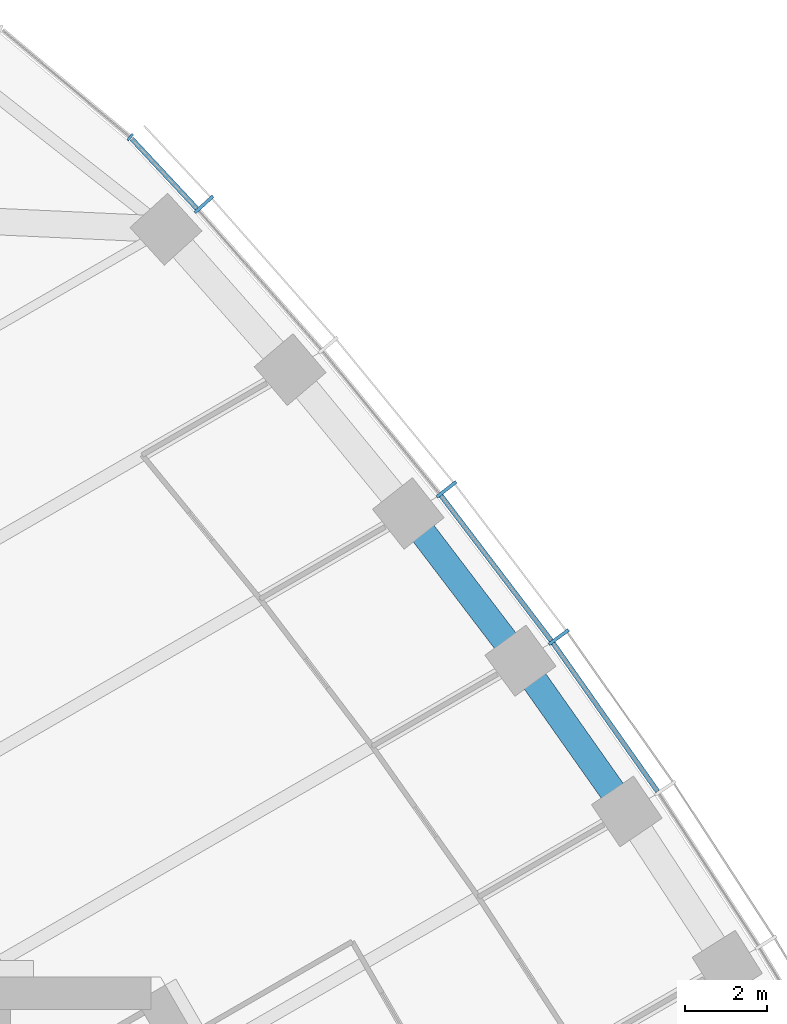
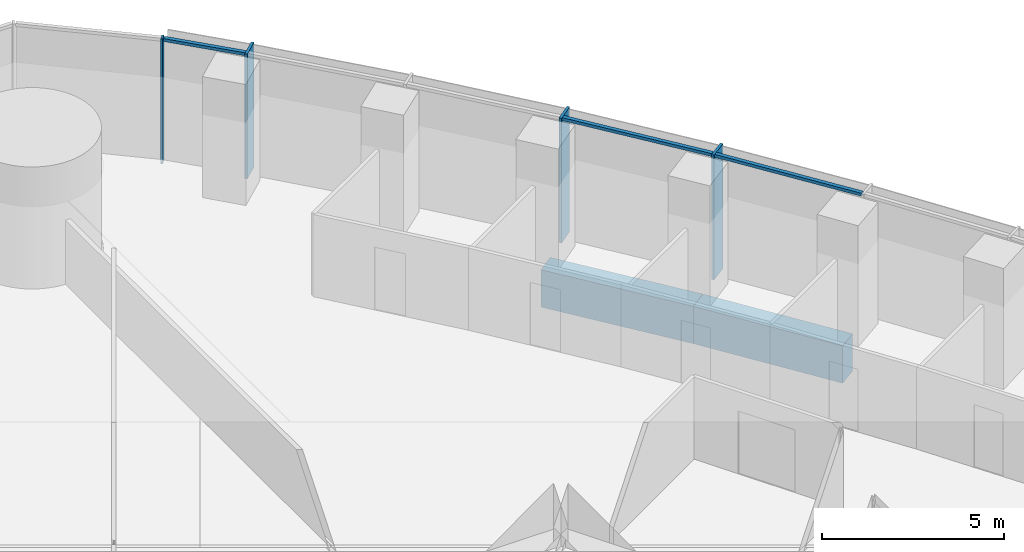
# One storey, part 7 of 21: 7 members, 2 beams, 2 elements without a shape of their own.
"""IFC4 building model written with IfcOpenShell, lengths in metres."""

from ifc_helpers import new_model, si_unit, direction, frame, origin, origin_2d, place, context, subcontext, project, spatial, rectangle, extrude, material, material_profile, profile_set, type_object, element, aggregate, save


model = new_model("IFC4")

# Units and contexts
model_context = context("Model", 3, precision=1e-05, world=origin(), true_north=direction((0.0, 1.0)))
body_context = subcontext(model_context, "Body", "Model", "MODEL_VIEW")
ifc_project = project(units=[si_unit("LENGTHUNIT", "METRE"), si_unit("AREAUNIT", "SQUARE_METRE"), si_unit("VOLUMEUNIT", "CUBIC_METRE"), si_unit("PLANEANGLEUNIT", "RADIAN"), si_unit("MASSUNIT", "GRAM", prefix="KILO")], contexts=[model_context])

# Site, building, storey
site_placement = place(None, origin())
site = spatial("IfcSite", under=ifc_project, at=site_placement, CompositionType="ELEMENT")
building_placement = place(site_placement, origin())
building = spatial("IfcBuilding", under=site, at=building_placement, Name="Trefoil Bronze Tower", CompositionType="ELEMENT")
storey_placement = place(building_placement, frame((0.0, 0.0, 153.5)))
storey = spatial("IfcBuildingStorey", under=building, at=storey_placement, Name="L35", CompositionType="ELEMENT", Elevation=153.5)

# Curtain wall, members
ifc_material_1 = material(Name="Tinted solar-control glass", Category="glass")
curtain_wall_type_1 = type_object("IfcCurtainWallType", Name="Bronze office curtain wall", PredefinedType="USERDEFINED", material=ifc_material_1)
curtain_wall_1_placement = place(storey_placement, origin())
curtain_wall_1 = element("IfcCurtainWall", 1, at=curtain_wall_1_placement, inside=storey, type_object=curtain_wall_type_1, Name="CW-A L35 F2", ObjectType="CURTAIN WALL", PredefinedType="USERDEFINED")
ifc_material_2 = material(Name="Bronze-finish aluminium", Category="aluminium")
ifc_material_profile_1 = material_profile(ifc_material_2, rectangle(XDim=0.60009765625, YDim=0.080078125, at=origin_2d()), Name="CW-A mullion")
ifc_profile_set_1 = profile_set([ifc_material_profile_1], Name="Bronze-finish aluminium")
member_type_1 = type_object("IfcMemberType", Name="Bronze office curtain wall mullion", PredefinedType="MULLION", material=ifc_profile_set_1)
member_1_placement = place(storey_placement, frame((15.764404296875, 24.7275390625, 0.0), z_axis=(0.0, 0.0, 1.0), x_axis=(-0.806874522901, -0.590722865897, 0.0)))
member_1 = element("IfcMember", 2, at=member_1_placement, type_object=member_type_1, Name="CW-A L35 F2 mullion 11", PredefinedType="MULLION", context=body_context, shape_type="SweptSolid", body=[
    extrude(rectangle(XDim=0.60009765625, YDim=0.080078125, at=origin_2d()), origin(), (0.0, 0.0, 1.0), 4.179931640625),
])
member_2_placement = place(storey_placement, frame((13.01220703125, 28.34716796875, 0.0), z_axis=(0.0, 0.0, 1.0), x_axis=(-0.78487913905, -0.619648882098, 0.0)))
member_2 = element("IfcMember", 3, at=member_2_placement, type_object=member_type_1, Name="CW-A L35 F2 mullion 12", PredefinedType="MULLION", context=body_context, shape_type="SweptSolid", body=[
    extrude(rectangle(XDim=0.60009765625, YDim=0.080078125, at=origin_2d()), origin(), (0.0, 0.0, 1.0), 4.179931640625),
])
member_3_placement = place(storey_placement, frame((7.070068359375, 35.332275390625, 0.0), z_axis=(0.0, 0.0, 1.0), x_axis=(-0.740360700327, -0.672209813534, 0.0)))
member_3 = element("IfcMember", 4, at=member_3_placement, type_object=member_type_1, Name="CW-A L35 F2 mullion 14", PredefinedType="MULLION", context=body_context, shape_type="SweptSolid", body=[
    extrude(rectangle(XDim=0.60009765625, YDim=0.080078125, at=origin_2d()), origin(), (0.0, 0.0, 1.0), 4.179931640625),
])
ifc_material_3 = material(Name="Bronze-finish aluminium", Category="aluminium")
ifc_material_profile_2 = material_profile(ifc_material_3, rectangle(XDim=0.1201171875, YDim=0.10009765625, at=origin_2d()), Name="CW-A transom")
ifc_profile_set_2 = profile_set([ifc_material_profile_2], Name="Bronze-finish aluminium")
member_type_2 = type_object("IfcMemberType", Name="Bronze office curtain wall transom", PredefinedType="USERDEFINED", material=ifc_profile_set_2)
member_4_placement = place(storey_placement, frame((18.18359375, 20.947021484375, 4.1298828125), z_axis=(-0.576017858824, 0.817437108478, 0.0), x_axis=(-0.817437108478, -0.576017858824, 0.0)))
member_4 = element("IfcMember", 5, at=member_4_placement, type_object=member_type_2, Name="CW-A L35 F2 transom 10", ObjectType="TRANSOM", PredefinedType="USERDEFINED", context=body_context, shape_type="SweptSolid", body=[
    extrude(rectangle(XDim=0.1201171875, YDim=0.10009765625, at=origin_2d()), origin(), (0.0, 0.0, 1.0), 4.4384765625),
])
member_5_placement = place(storey_placement, frame((15.57763671875, 24.642578125, 4.1298828125), z_axis=(-0.605229114572, 0.796051329296, 0.0), x_axis=(-0.796051329296, -0.605229114572, 0.0)))
member_5 = element("IfcMember", 6, at=member_5_placement, type_object=member_type_2, Name="CW-A L35 F2 transom 11", ObjectType="TRANSOM", PredefinedType="USERDEFINED", context=body_context, shape_type="SweptSolid", body=[
    extrude(rectangle(XDim=0.1201171875, YDim=0.10009765625, at=origin_2d()), origin(), (0.0, 0.0, 1.0), 4.456298828125),
])
member_6_placement = place(storey_placement, frame((6.893798828125, 35.22802734375, 4.1298828125), z_axis=(-0.682489214428, 0.730895664366, 0.0), x_axis=(-0.730895664366, -0.682489214428, 0.0)))
member_6 = element("IfcMember", 7, at=member_6_placement, type_object=member_type_2, Name="CW-A L35 F2 transom 14", ObjectType="TRANSOM", PredefinedType="USERDEFINED", context=body_context, shape_type="SweptSolid", body=[
    extrude(rectangle(XDim=0.1201171875, YDim=0.10009765625, at=origin_2d()), origin(), (0.0, 0.0, 1.0), 2.340087890625),
])
aggregate(curtain_wall_1, [member_1, member_2, member_3, member_4, member_5, member_6])

# Curtain wall, member
ifc_material_4 = material(Name="Tinted solar-control glass", Category="glass")
curtain_wall_type_2 = type_object("IfcCurtainWallType", Name="Bronze rounded corner curtain wall", PredefinedType="USERDEFINED", material=ifc_material_4)
curtain_wall_2_placement = place(storey_placement, origin())
curtain_wall_2 = element("IfcCurtainWall", 8, at=curtain_wall_2_placement, inside=storey, type_object=curtain_wall_type_2, Name="CW-B L35 K2", ObjectType="CURTAIN WALL", PredefinedType="USERDEFINED")
ifc_material_5 = material(Name="Bronze-finish aluminium", Category="aluminium")
ifc_material_profile_3 = material_profile(ifc_material_5, rectangle(XDim=0.199951171875, YDim=0.06005859375, at=origin_2d()), Name="CW-B mullion")
ifc_profile_set_3 = profile_set([ifc_material_profile_3], Name="Bronze-finish aluminium")
member_type_3 = type_object("IfcMemberType", Name="Bronze rounded corner curtain wall mullion", PredefinedType="MULLION", material=ifc_profile_set_3)
member_7_placement = place(storey_placement, frame((5.260498046875, 36.975830078125, 0.0), z_axis=(0.0, 0.0, 1.0), x_axis=(-0.642787609687, -0.766044443119, 0.0)))
member_7 = element("IfcMember", 9, at=member_7_placement, type_object=member_type_3, Name="CW-B L35 K2 mullion 1", PredefinedType="MULLION", context=body_context, shape_type="SweptSolid", body=[
    extrude(rectangle(XDim=0.199951171875, YDim=0.06005859375, at=origin_2d()), origin(), (0.0, 0.0, 1.0), 4.179931640625),
])
aggregate(curtain_wall_2, [member_7])

# Beams
ifc_material_6 = material(Name="Concrete B80", Category="concrete")
ifc_material_profile_4 = material_profile(ifc_material_6, rectangle(XDim=0.64990234375, YDim=1.25, at=origin_2d()), Name="RC 650x1250")
ifc_profile_set_4 = profile_set([ifc_material_profile_4], Name="Concrete B80")
beam_type = type_object("IfcBeamType", Name="Spandrel beam RC 650x1250", PredefinedType="SPANDREL", material=ifc_profile_set_4)
beam_1_placement = place(storey_placement, frame((17.43017578125, 20.45556640625, -0.824951171875), z_axis=(-0.576439228712, 0.81714002203, 0.0), x_axis=(-0.81714002203, -0.576439228712, 0.0)))
element("IfcBeam", 10, at=beam_1_placement, inside=storey, type_object=beam_type, Name="Spandrel F2.10 L35", PredefinedType="SPANDREL", context=body_context, shape_type="SweptSolid", body=[
    extrude(rectangle(XDim=0.64990234375, YDim=1.25, at=origin_2d()), origin(), (0.0, 0.0, 1.0), 4.5185546875),
])
beam_2_placement = place(storey_placement, frame((14.825439453125, 24.14794921875, -0.824951171875), z_axis=(-0.605898901788, 0.795541652468, 0.0), x_axis=(-0.795541652468, -0.605898901788, 0.0)))
element("IfcBeam", 11, at=beam_2_placement, inside=storey, type_object=beam_type, Name="Spandrel F2.11 L35", PredefinedType="SPANDREL", context=body_context, shape_type="SweptSolid", body=[
    extrude(rectangle(XDim=0.64990234375, YDim=1.25, at=origin_2d()), origin(), (0.0, 0.0, 1.0), 4.53662109375),
])

save(model, "model.ifc")
